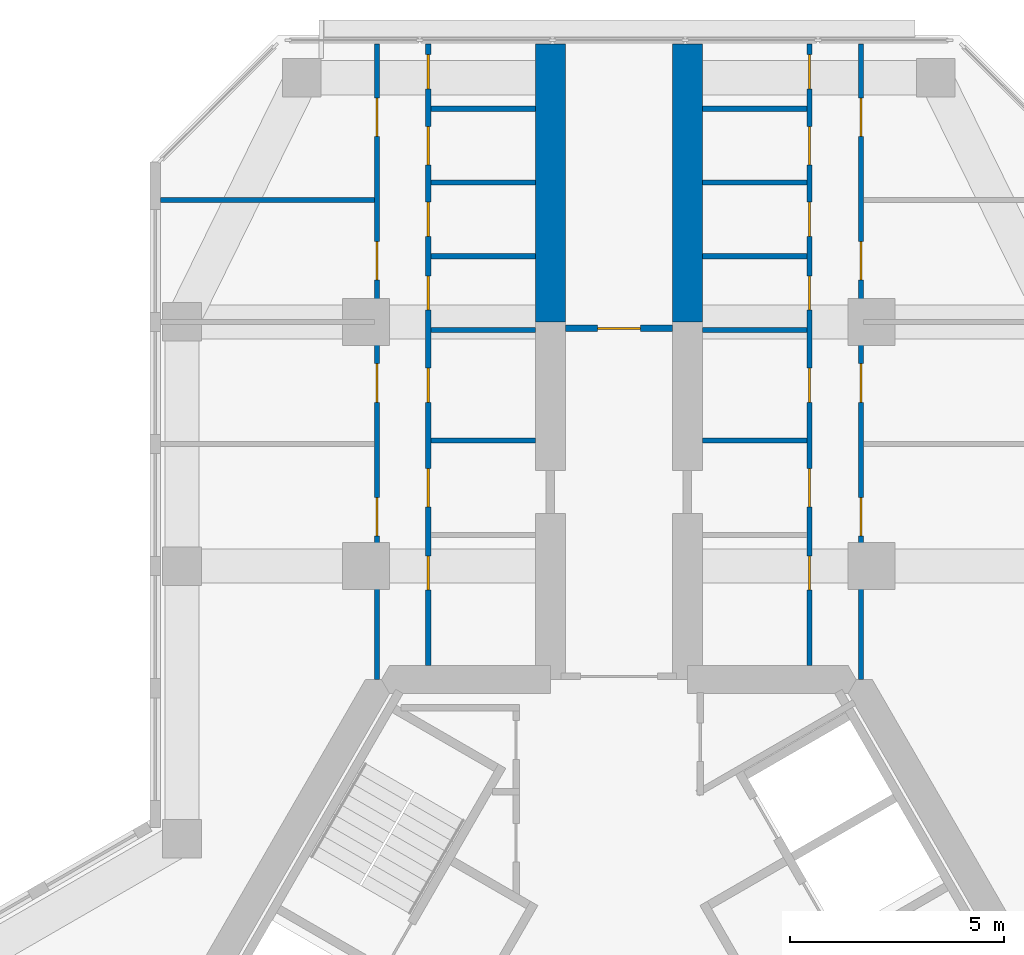
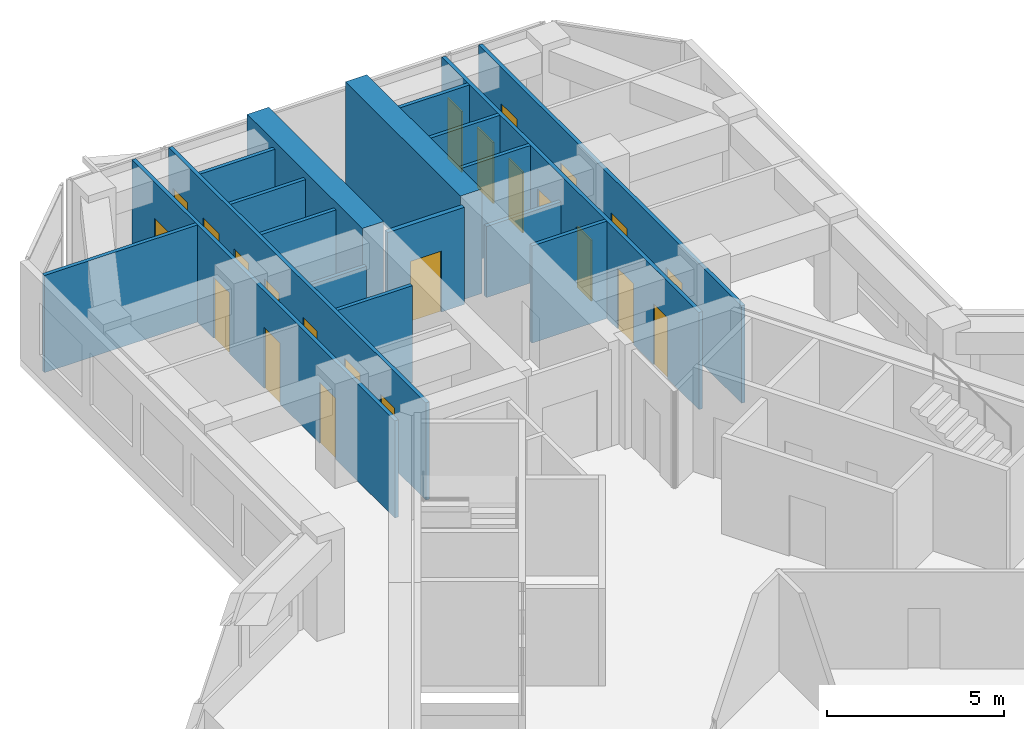
# One storey, part 14 of 16: 23 doors, 18 walls, 23 openings.
"""IFC4 building model written with IfcOpenShell, lengths in metres."""

from ifc_helpers import new_model, si_unit, direction, frame, frame_2d, origin, place, context, subcontext, project, spatial, rectangle, extrude, material, layer, layer_set, type_object, element, fill, save


model = new_model("IFC4")

# Units and contexts
model_context = context("Model", 3, precision=1e-05, world=origin(), true_north=direction((0.0, 1.0)))
body_context = subcontext(model_context, "Body", "Model", "MODEL_VIEW")
ifc_project = project(units=[si_unit("LENGTHUNIT", "METRE"), si_unit("AREAUNIT", "SQUARE_METRE"), si_unit("VOLUMEUNIT", "CUBIC_METRE"), si_unit("PLANEANGLEUNIT", "RADIAN"), si_unit("MASSUNIT", "GRAM", prefix="KILO")], contexts=[model_context])

# Site, building, storey
site_placement = place(None, origin())
site = spatial("IfcSite", under=ifc_project, at=site_placement, CompositionType="ELEMENT")
building_placement = place(site_placement, origin())
building = spatial("IfcBuilding", under=site, at=building_placement, Name="Kosmar Iwan School Tower", CompositionType="ELEMENT")
storey_placement = place(building_placement, frame((0.0, 0.0, 208.199951171875)))
storey = spatial("IfcBuildingStorey", under=building, at=storey_placement, Name="L52", CompositionType="ELEMENT", Elevation=208.199951171875)

# Walls
ifc_material_1 = material(Name="Concrete C50/60", Category="concrete")
ifc_layer_1 = layer(ifc_material_1, 0.699951171875)
ifc_layer_set_1 = layer_set([ifc_layer_1], Name="Corridor buttress wall 700")
wall_type_1 = type_object("IfcWallType", Name="Corridor buttress wall 700", PredefinedType="SHEAR", material=ifc_layer_set_1)
for number, where, z_axis, x_axis, name in (
    (1, (-1.60009765625, 17.949951171875, 0.0), (0.0, 0.0, 1.0), (0.0, 1.0, 0.0), "Corridor wall AL bay 2"),
    (2, (1.60009765625, 17.949951171875, 0.0), (0.0, 0.0, 1.0), (0.0, 1.0, 0.0), "Corridor wall AR bay 2"),
):
    element("IfcWall", number, at=place(storey_placement, frame(where, z_axis=z_axis, x_axis=x_axis)), inside=storey, type_object=wall_type_1, Name=name, PredefinedType="SHEAR", context=body_context, shape_type="SweptSolid", body=[
        extrude(rectangle(XDim=6.4951171875, YDim=0.699951171875, at=frame_2d((3.24755859375, 0.0))), origin(), (0.0, 0.0, 1.0), 3.60009765625),
    ])

# Wall, opening, door
ifc_material_2 = material(Name="Gypsum board on steel studs, fire-rated", Category="steel")
ifc_layer_2 = layer(ifc_material_2, 0.14990234375)
ifc_layer_set_2 = layer_set([ifc_layer_2], Name="Corridor end wall 150")
wall_type_2 = type_object("IfcWallType", Name="Corridor end wall 150", PredefinedType="PARTITIONING", material=ifc_layer_set_2)
wall_1_placement = place(storey_placement, frame((1.25, 17.800048828125, 0.0), z_axis=(0.0, 0.0, 1.0), x_axis=(-1.0, 0.0, 0.0)))
wall_1 = element("IfcWall", 3, at=wall_1_placement, inside=storey, type_object=wall_type_2, Name="Partition L52-A-CE", PredefinedType="PARTITIONING", context=body_context, shape_type="SweptSolid", body=[
    extrude(rectangle(XDim=2.5, YDim=0.14990234375, at=frame_2d((1.25, 0.0))), origin(), (0.0, 0.0, 1.0), 3.35009765625),
])
opening_1_placement = place(wall_1_placement, frame((0.75, 0.0, 0.0)))
opening_1 = element("IfcOpeningElement", 4, at=opening_1_placement, cuts=wall_1, Name="Opening D13", PredefinedType="OPENING", context=body_context, shape_type="SweptSolid", body=[
    extrude(rectangle(XDim=1.0, YDim=2.10009765625, at=frame_2d((0.5, 1.050048828125))), frame((0.0, 0.0869140625, 0.0), z_axis=(0.0, -1.0, 0.0), x_axis=(1.0, 0.0, 0.0)), (0.0, 0.0, 1.0), 0.173828125),
])
ifc_material_3 = material(Name="Timber fire door with vision panel", Category="wood")
door_type_1 = type_object("IfcDoorType", Name="Corridor end door 1000x2100", OperationType="SINGLE_SWING_LEFT", PredefinedType="DOOR", material=ifc_material_3)
door_1_placement = place(opening_1_placement, origin())
door_1 = element("IfcDoor", 5, at=door_1_placement, inside=storey, type_object=door_type_1, Name="Reading room door L52-A", OperationType="SINGLE_SWING_RIGHT", OverallHeight=2.10009765625, OverallWidth=1.0, PredefinedType="DOOR", context=body_context, shape_type="SweptSolid", body=[
    extrude(rectangle(XDim=1.0, YDim=2.10009765625, at=frame_2d((0.5, 1.050048828125))), frame((0.0, 0.02490234375, 0.0), z_axis=(0.0, -1.0, 0.0), x_axis=(1.0, 0.0, 0.0)), (0.0, 0.0, 1.0), 0.050048828125),
])
fill(opening_1, door_1)

# Wall, openings, doors
ifc_material_4 = material(Name="Gypsum board on steel studs", Category="steel")
ifc_layer_3 = layer(ifc_material_4, 0.1201171875)
ifc_layer_set_3 = layer_set([ifc_layer_3], Name="Dwelling partition 120")
wall_type_3 = type_object("IfcWallType", Name="Dwelling partition 120", PredefinedType="PARTITIONING", material=ifc_layer_set_3)
wall_2_placement = place(storey_placement, frame((-4.449951171875, 9.925048828125, 0.0), z_axis=(0.0, 0.0, 1.0), x_axis=(0.0, 1.0, 0.0)))
wall_2 = element("IfcWall", 6, at=wall_2_placement, inside=storey, type_object=wall_type_3, Name="Partition L52-AL1-W1", PredefinedType="PARTITIONING", context=body_context, shape_type="SweptSolid", body=[
    extrude(rectangle(XDim=14.52001953125, YDim=0.1201171875, at=frame_2d((7.260009765625, 0.0))), origin(), (0.0, 0.0, 1.0), 3.35009765625),
])
opening_2_placement = place(wall_2_placement, frame((1.764892578125, 0.0, 0.0)))
opening_2 = element("IfcOpeningElement", 7, at=opening_2_placement, cuts=wall_2, Name="Opening D3", PredefinedType="OPENING", context=body_context, shape_type="SweptSolid", body=[
    extrude(rectangle(XDim=0.800048828125, YDim=2.10009765625, at=frame_2d((0.39990234375, 1.050048828125))), frame((0.0, 0.072021484375, 0.0), z_axis=(0.0, -1.0, 0.0), x_axis=(1.0, 0.0, 0.0)), (0.0, 0.0, 1.0), 0.14404296875),
])
opening_3_placement = place(wall_2_placement, frame((3.705078125, 0.0, 0.0)))
opening_3 = element("IfcOpeningElement", 8, at=opening_3_placement, cuts=wall_2, Name="Opening D2", PredefinedType="OPENING", context=body_context, shape_type="SweptSolid", body=[
    extrude(rectangle(XDim=0.89990234375, YDim=2.10009765625, at=frame_2d((0.449951171875, 1.050048828125))), frame((0.0, 0.072021484375, 0.0), z_axis=(0.0, -1.0, 0.0), x_axis=(1.0, 0.0, 0.0)), (0.0, 0.0, 1.0), 0.14404296875),
])
opening_4_placement = place(wall_2_placement, frame((6.146484375, 0.0, 0.0)))
opening_4 = element("IfcOpeningElement", 9, at=opening_4_placement, cuts=wall_2, Name="Opening D3", PredefinedType="OPENING", context=body_context, shape_type="SweptSolid", body=[
    extrude(rectangle(XDim=0.800048828125, YDim=2.10009765625, at=frame_2d((0.39990234375, 1.050048828125))), frame((0.0, 0.072021484375, 0.0), z_axis=(0.0, -1.0, 0.0), x_axis=(1.0, 0.0, 0.0)), (0.0, 0.0, 1.0), 0.14404296875),
])
opening_5_placement = place(wall_2_placement, frame((8.298583984375, 0.0, 0.0)))
opening_5 = element("IfcOpeningElement", 10, at=opening_5_placement, cuts=wall_2, Name="Opening D3", PredefinedType="OPENING", context=body_context, shape_type="SweptSolid", body=[
    extrude(rectangle(XDim=0.800048828125, YDim=2.10009765625, at=frame_2d((0.39990234375, 1.050048828125))), frame((0.0, 0.072021484375, 0.0), z_axis=(0.0, -1.0, 0.0), x_axis=(1.0, 0.0, 0.0)), (0.0, 0.0, 1.0), 0.14404296875),
])
opening_6_placement = place(wall_2_placement, frame((10.0205078125, 0.0, 0.0)))
opening_6 = element("IfcOpeningElement", 11, at=opening_6_placement, cuts=wall_2, Name="Opening D3", PredefinedType="OPENING", context=body_context, shape_type="SweptSolid", body=[
    extrude(rectangle(XDim=0.800048828125, YDim=2.10009765625, at=frame_2d((0.39990234375, 1.050048828125))), frame((0.0, 0.072021484375, 0.0), z_axis=(0.0, -1.0, 0.0), x_axis=(1.0, 0.0, 0.0)), (0.0, 0.0, 1.0), 0.14404296875),
])
opening_7_placement = place(wall_2_placement, frame((11.6923828125, 0.0, 0.0)))
opening_7 = element("IfcOpeningElement", 12, at=opening_7_placement, cuts=wall_2, Name="Opening D2", PredefinedType="OPENING", context=body_context, shape_type="SweptSolid", body=[
    extrude(rectangle(XDim=0.89990234375, YDim=2.10009765625, at=frame_2d((0.449951171875, 1.050048828125))), frame((0.0, 0.072021484375, 0.0), z_axis=(0.0, -1.0, 0.0), x_axis=(1.0, 0.0, 0.0)), (0.0, 0.0, 1.0), 0.14404296875),
])
opening_8_placement = place(wall_2_placement, frame((13.464111328125, 0.0, 0.0)))
opening_8 = element("IfcOpeningElement", 13, at=opening_8_placement, cuts=wall_2, Name="Opening D3", PredefinedType="OPENING", context=body_context, shape_type="SweptSolid", body=[
    extrude(rectangle(XDim=0.800048828125, YDim=2.10009765625, at=frame_2d((0.39990234375, 1.050048828125))), frame((0.0, 0.072021484375, 0.0), z_axis=(0.0, -1.0, 0.0), x_axis=(1.0, 0.0, 0.0)), (0.0, 0.0, 1.0), 0.14404296875),
])
ifc_material_5 = material(Name="Timber door in timber frame", Category="wood")
door_type_2 = type_object("IfcDoorType", Name="Internal door 900x2100", OperationType="SINGLE_SWING_LEFT", PredefinedType="DOOR", material=ifc_material_5)
door_2_placement = place(opening_3_placement, origin())
door_2 = element("IfcDoor", 14, at=door_2_placement, inside=storey, type_object=door_type_2, Name="Entrance hall door L52-AL1-S2", OperationType="SINGLE_SWING_LEFT", OverallHeight=2.10009765625, OverallWidth=0.89990234375, PredefinedType="DOOR", context=body_context, shape_type="SweptSolid", body=[
    extrude(rectangle(XDim=0.89990234375, YDim=2.10009765625, at=frame_2d((0.449951171875, 1.050048828125))), frame((0.0, 0.02490234375, 0.0), z_axis=(0.0, -1.0, 0.0), x_axis=(1.0, 0.0, 0.0)), (0.0, 0.0, 1.0), 0.050048828125),
])
fill(opening_3, door_2)
door_3_placement = place(opening_7_placement, origin())
door_3 = element("IfcDoor", 15, at=door_3_placement, inside=storey, type_object=door_type_2, Name="Pantry door L52-AL1-S6", OperationType="SINGLE_SWING_RIGHT", OverallHeight=2.10009765625, OverallWidth=0.89990234375, PredefinedType="DOOR", context=body_context, shape_type="SweptSolid", body=[
    extrude(rectangle(XDim=0.89990234375, YDim=2.10009765625, at=frame_2d((0.449951171875, 1.050048828125))), frame((0.0, 0.02490234375, 0.0), z_axis=(0.0, -1.0, 0.0), x_axis=(1.0, 0.0, 0.0)), (0.0, 0.0, 1.0), 0.050048828125),
])
fill(opening_7, door_3)
ifc_material_6 = material(Name="Timber door in timber frame", Category="wood")
door_type_3 = type_object("IfcDoorType", Name="Sanitary room door 800x2100", OperationType="SINGLE_SWING_LEFT", PredefinedType="DOOR", material=ifc_material_6)
door_4_placement = place(opening_2_placement, origin())
door_4 = element("IfcDoor", 16, at=door_4_placement, inside=storey, type_object=door_type_3, Name="WC door L52-AL1-S1", OperationType="SINGLE_SWING_LEFT", OverallHeight=2.10009765625, OverallWidth=0.800048828125, PredefinedType="DOOR", context=body_context, shape_type="SweptSolid", body=[
    extrude(rectangle(XDim=0.800048828125, YDim=2.10009765625, at=frame_2d((0.39990234375, 1.050048828125))), frame((0.0, 0.02490234375, 0.0), z_axis=(0.0, -1.0, 0.0), x_axis=(1.0, 0.0, 0.0)), (0.0, 0.0, 1.0), 0.050048828125),
])
fill(opening_2, door_4)
door_5_placement = place(opening_4_placement, origin())
door_5 = element("IfcDoor", 17, at=door_5_placement, inside=storey, type_object=door_type_3, Name="Bathroom door L52-AL1-S3", OperationType="SINGLE_SWING_LEFT", OverallHeight=2.10009765625, OverallWidth=0.800048828125, PredefinedType="DOOR", context=body_context, shape_type="SweptSolid", body=[
    extrude(rectangle(XDim=0.800048828125, YDim=2.10009765625, at=frame_2d((0.39990234375, 1.050048828125))), frame((0.0, 0.02490234375, 0.0), z_axis=(0.0, -1.0, 0.0), x_axis=(1.0, 0.0, 0.0)), (0.0, 0.0, 1.0), 0.050048828125),
])
fill(opening_4, door_5)
door_6_placement = place(opening_5_placement, origin())
door_6 = element("IfcDoor", 18, at=door_6_placement, inside=storey, type_object=door_type_3, Name="Grandparents' shower room door L52-AL1-S4", OperationType="SINGLE_SWING_RIGHT", OverallHeight=2.10009765625, OverallWidth=0.800048828125, PredefinedType="DOOR", context=body_context, shape_type="SweptSolid", body=[
    extrude(rectangle(XDim=0.800048828125, YDim=2.10009765625, at=frame_2d((0.39990234375, 1.050048828125))), frame((0.0, 0.02490234375, 0.0), z_axis=(0.0, -1.0, 0.0), x_axis=(1.0, 0.0, 0.0)), (0.0, 0.0, 1.0), 0.050048828125),
])
fill(opening_5, door_6)
door_7_placement = place(opening_6_placement, origin())
door_7 = element("IfcDoor", 19, at=door_7_placement, inside=storey, type_object=door_type_3, Name="Shower room door L52-AL1-S5", OperationType="SINGLE_SWING_RIGHT", OverallHeight=2.10009765625, OverallWidth=0.800048828125, PredefinedType="DOOR", context=body_context, shape_type="SweptSolid", body=[
    extrude(rectangle(XDim=0.800048828125, YDim=2.10009765625, at=frame_2d((0.39990234375, 1.050048828125))), frame((0.0, 0.02490234375, 0.0), z_axis=(0.0, -1.0, 0.0), x_axis=(1.0, 0.0, 0.0)), (0.0, 0.0, 1.0), 0.050048828125),
])
fill(opening_6, door_7)
door_8_placement = place(opening_8_placement, origin())
door_8 = element("IfcDoor", 20, at=door_8_placement, inside=storey, type_object=door_type_3, Name="Store door L52-AL1-S7", OperationType="SINGLE_SWING_RIGHT", OverallHeight=2.10009765625, OverallWidth=0.800048828125, PredefinedType="DOOR", context=body_context, shape_type="SweptSolid", body=[
    extrude(rectangle(XDim=0.800048828125, YDim=2.10009765625, at=frame_2d((0.39990234375, 1.050048828125))), frame((0.0, 0.02490234375, 0.0), z_axis=(0.0, -1.0, 0.0), x_axis=(1.0, 0.0, 0.0)), (0.0, 0.0, 1.0), 0.050048828125),
])
fill(opening_8, door_8)

wall_3_placement = place(storey_placement, frame((-5.64990234375, 9.60009765625, 0.0), z_axis=(0.0, 0.0, 1.0), x_axis=(0.0, 1.0, 0.0)))
wall_3 = element("IfcWall", 21, at=wall_3_placement, inside=storey, type_object=wall_type_3, Name="Partition L52-AL1-W2", PredefinedType="PARTITIONING", context=body_context, shape_type="SweptSolid", body=[
    extrude(rectangle(XDim=14.844970703125, YDim=0.1201171875, at=frame_2d((7.42236328125, 0.0))), origin(), (0.0, 0.0, 1.0), 3.35009765625),
])
opening_9_placement = place(wall_3_placement, frame((3.35009765625, 0.0, 0.0)))
opening_9 = element("IfcOpeningElement", 22, at=opening_9_placement, cuts=wall_3, Name="Opening D2", PredefinedType="OPENING", context=body_context, shape_type="SweptSolid", body=[
    extrude(rectangle(XDim=0.89990234375, YDim=2.10009765625, at=frame_2d((0.449951171875, 1.050048828125))), frame((0.0, 0.072021484375, 0.0), z_axis=(0.0, -1.0, 0.0), x_axis=(1.0, 0.0, 0.0)), (0.0, 0.0, 1.0), 0.14404296875),
])
opening_10_placement = place(wall_3_placement, frame((6.47509765625, 0.0, 0.0)))
opening_10 = element("IfcOpeningElement", 23, at=opening_10_placement, cuts=wall_3, Name="Opening D2", PredefinedType="OPENING", context=body_context, shape_type="SweptSolid", body=[
    extrude(rectangle(XDim=0.89990234375, YDim=2.10009765625, at=frame_2d((0.449951171875, 1.050048828125))), frame((0.0, 0.072021484375, 0.0), z_axis=(0.0, -1.0, 0.0), x_axis=(1.0, 0.0, 0.0)), (0.0, 0.0, 1.0), 0.14404296875),
])
opening_11_placement = place(wall_3_placement, frame((9.324951171875, 0.0, 0.0)))
opening_11 = element("IfcOpeningElement", 24, at=opening_11_placement, cuts=wall_3, Name="Opening D2", PredefinedType="OPENING", context=body_context, shape_type="SweptSolid", body=[
    extrude(rectangle(XDim=0.89990234375, YDim=2.10009765625, at=frame_2d((0.449951171875, 1.050048828125))), frame((0.0, 0.072021484375, 0.0), z_axis=(0.0, -1.0, 0.0), x_axis=(1.0, 0.0, 0.0)), (0.0, 0.0, 1.0), 0.14404296875),
])
opening_12_placement = place(wall_3_placement, frame((12.675048828125, 0.0, 0.0)))
opening_12 = element("IfcOpeningElement", 25, at=opening_12_placement, cuts=wall_3, Name="Opening D2", PredefinedType="OPENING", context=body_context, shape_type="SweptSolid", body=[
    extrude(rectangle(XDim=0.89990234375, YDim=2.10009765625, at=frame_2d((0.449951171875, 1.050048828125))), frame((0.0, 0.072021484375, 0.0), z_axis=(0.0, -1.0, 0.0), x_axis=(1.0, 0.0, 0.0)), (0.0, 0.0, 1.0), 0.14404296875),
])
door_9_placement = place(opening_9_placement, origin())
door_9 = element("IfcDoor", 26, at=door_9_placement, inside=storey, type_object=door_type_2, Name="Living room and kitchen door L52-AL1-F1", OperationType="SINGLE_SWING_RIGHT", OverallHeight=2.10009765625, OverallWidth=0.89990234375, PredefinedType="DOOR", context=body_context, shape_type="SweptSolid", body=[
    extrude(rectangle(XDim=0.89990234375, YDim=2.10009765625, at=frame_2d((0.449951171875, 1.050048828125))), frame((0.0, 0.02490234375, 0.0), z_axis=(0.0, -1.0, 0.0), x_axis=(1.0, 0.0, 0.0)), (0.0, 0.0, 1.0), 0.050048828125),
])
fill(opening_9, door_9)
door_10_placement = place(opening_10_placement, origin())
door_10 = element("IfcDoor", 27, at=door_10_placement, inside=storey, type_object=door_type_2, Name="Bedroom 1 door L52-AL1-F2", OperationType="SINGLE_SWING_LEFT", OverallHeight=2.10009765625, OverallWidth=0.89990234375, PredefinedType="DOOR", context=body_context, shape_type="SweptSolid", body=[
    extrude(rectangle(XDim=0.89990234375, YDim=2.10009765625, at=frame_2d((0.449951171875, 1.050048828125))), frame((0.0, 0.02490234375, 0.0), z_axis=(0.0, -1.0, 0.0), x_axis=(1.0, 0.0, 0.0)), (0.0, 0.0, 1.0), 0.050048828125),
])
fill(opening_10, door_10)
door_11_placement = place(opening_11_placement, origin())
door_11 = element("IfcDoor", 28, at=door_11_placement, inside=storey, type_object=door_type_2, Name="Grandparents' suite door L52-AL1-F3", OperationType="SINGLE_SWING_RIGHT", OverallHeight=2.10009765625, OverallWidth=0.89990234375, PredefinedType="DOOR", context=body_context, shape_type="SweptSolid", body=[
    extrude(rectangle(XDim=0.89990234375, YDim=2.10009765625, at=frame_2d((0.449951171875, 1.050048828125))), frame((0.0, 0.02490234375, 0.0), z_axis=(0.0, -1.0, 0.0), x_axis=(1.0, 0.0, 0.0)), (0.0, 0.0, 1.0), 0.050048828125),
])
fill(opening_11, door_11)
door_12_placement = place(opening_12_placement, origin())
door_12 = element("IfcDoor", 29, at=door_12_placement, inside=storey, type_object=door_type_2, Name="Bedroom 2 door L52-AL1-F4", OperationType="SINGLE_SWING_RIGHT", OverallHeight=2.10009765625, OverallWidth=0.89990234375, PredefinedType="DOOR", context=body_context, shape_type="SweptSolid", body=[
    extrude(rectangle(XDim=0.89990234375, YDim=2.10009765625, at=frame_2d((0.449951171875, 1.050048828125))), frame((0.0, 0.02490234375, 0.0), z_axis=(0.0, -1.0, 0.0), x_axis=(1.0, 0.0, 0.0)), (0.0, 0.0, 1.0), 0.050048828125),
])
fill(opening_12, door_12)

# Walls
wall_4_placement = place(storey_placement, frame((-5.7099609375, 20.800048828125, 0.0), z_axis=(0.0, 0.0, 1.0), x_axis=(-1.0, 0.0, 0.0)))
element("IfcWall", 30, at=wall_4_placement, inside=storey, type_object=wall_type_3, Name="Partition L52-AL1-X3", PredefinedType="PARTITIONING", context=body_context, shape_type="SweptSolid", body=[
    extrude(rectangle(XDim=4.989990234375, YDim=0.1201171875, at=frame_2d((2.4951171875, 0.0))), origin(), (0.0, 0.0, 1.0), 3.35009765625),
])
wall_5_placement = place(storey_placement, frame((-1.949951171875, 15.179931640625, 0.0), z_axis=(0.0, 0.0, 1.0), x_axis=(-1.0, 0.0, 0.0)))
element("IfcWall", 31, at=wall_5_placement, inside=storey, type_object=wall_type_3, Name="Partition L52-AL1-Y2", PredefinedType="PARTITIONING", context=body_context, shape_type="SweptSolid", body=[
    extrude(rectangle(XDim=2.43994140625, YDim=0.1201171875, at=frame_2d((1.219970703125, 0.0))), origin(), (0.0, 0.0, 1.0), 3.35009765625),
])
wall_6_placement = place(storey_placement, frame((-1.949951171875, 17.7626953125, 0.0), z_axis=(0.0, 0.0, 1.0), x_axis=(-1.0, 0.0, 0.0)))
element("IfcWall", 32, at=wall_6_placement, inside=storey, type_object=wall_type_3, Name="Partition L52-AL1-Y3", PredefinedType="PARTITIONING", context=body_context, shape_type="SweptSolid", body=[
    extrude(rectangle(XDim=2.43994140625, YDim=0.1201171875, at=frame_2d((1.219970703125, 0.0))), origin(), (0.0, 0.0, 1.0), 2.449951171875),
])
for number, where, z_axis, x_axis, name in (
    (33, (-1.949951171875, 19.484619140625, 0.0), (0.0, 0.0, 1.0), (-1.0, 0.0, 0.0), "Partition L52-AL1-Y4"),
    (34, (-1.949951171875, 21.206298828125, 0.0), (0.0, 0.0, 1.0), (-1.0, 0.0, 0.0), "Partition L52-AL1-Y5"),
    (35, (-1.949951171875, 22.92822265625, 0.0), (0.0, 0.0, 1.0), (-1.0, 0.0, 0.0), "Partition L52-AL1-Y6"),
):
    element("IfcWall", number, at=place(storey_placement, frame(where, z_axis=z_axis, x_axis=x_axis)), inside=storey, type_object=wall_type_3, Name=name, PredefinedType="PARTITIONING", context=body_context, shape_type="SweptSolid", body=[
        extrude(rectangle(XDim=2.43994140625, YDim=0.1201171875, at=frame_2d((1.219970703125, 0.0))), origin(), (0.0, 0.0, 1.0), 3.35009765625),
    ])

# Wall, openings, doors
wall_7_placement = place(storey_placement, frame((4.449951171875, 9.925048828125, 0.0), z_axis=(0.0, 0.0, 1.0), x_axis=(0.0, 1.0, 0.0)))
wall_7 = element("IfcWall", 36, at=wall_7_placement, inside=storey, type_object=wall_type_3, Name="Partition L52-AR1-W1", PredefinedType="PARTITIONING", context=body_context, shape_type="SweptSolid", body=[
    extrude(rectangle(XDim=14.52001953125, YDim=0.1201171875, at=frame_2d((7.260009765625, 0.0))), origin(), (0.0, 0.0, 1.0), 3.35009765625),
])
opening_13_placement = place(wall_7_placement, frame((1.764892578125, 0.0, 0.0)))
opening_13 = element("IfcOpeningElement", 37, at=opening_13_placement, cuts=wall_7, Name="Opening D3", PredefinedType="OPENING", context=body_context, shape_type="SweptSolid", body=[
    extrude(rectangle(XDim=0.800048828125, YDim=2.10009765625, at=frame_2d((0.39990234375, 1.050048828125))), frame((0.0, 0.072021484375, 0.0), z_axis=(0.0, -1.0, 0.0), x_axis=(1.0, 0.0, 0.0)), (0.0, 0.0, 1.0), 0.14404296875),
])
opening_14_placement = place(wall_7_placement, frame((3.705078125, 0.0, 0.0)))
opening_14 = element("IfcOpeningElement", 38, at=opening_14_placement, cuts=wall_7, Name="Opening D2", PredefinedType="OPENING", context=body_context, shape_type="SweptSolid", body=[
    extrude(rectangle(XDim=0.89990234375, YDim=2.10009765625, at=frame_2d((0.449951171875, 1.050048828125))), frame((0.0, 0.072021484375, 0.0), z_axis=(0.0, -1.0, 0.0), x_axis=(1.0, 0.0, 0.0)), (0.0, 0.0, 1.0), 0.14404296875),
])
opening_15_placement = place(wall_7_placement, frame((6.146484375, 0.0, 0.0)))
opening_15 = element("IfcOpeningElement", 39, at=opening_15_placement, cuts=wall_7, Name="Opening D3", PredefinedType="OPENING", context=body_context, shape_type="SweptSolid", body=[
    extrude(rectangle(XDim=0.800048828125, YDim=2.10009765625, at=frame_2d((0.39990234375, 1.050048828125))), frame((0.0, 0.072021484375, 0.0), z_axis=(0.0, -1.0, 0.0), x_axis=(1.0, 0.0, 0.0)), (0.0, 0.0, 1.0), 0.14404296875),
])
opening_16_placement = place(wall_7_placement, frame((8.298583984375, 0.0, 0.0)))
opening_16 = element("IfcOpeningElement", 40, at=opening_16_placement, cuts=wall_7, Name="Opening D3", PredefinedType="OPENING", context=body_context, shape_type="SweptSolid", body=[
    extrude(rectangle(XDim=0.800048828125, YDim=2.10009765625, at=frame_2d((0.39990234375, 1.050048828125))), frame((0.0, 0.072021484375, 0.0), z_axis=(0.0, -1.0, 0.0), x_axis=(1.0, 0.0, 0.0)), (0.0, 0.0, 1.0), 0.14404296875),
])
opening_17_placement = place(wall_7_placement, frame((10.0205078125, 0.0, 0.0)))
opening_17 = element("IfcOpeningElement", 41, at=opening_17_placement, cuts=wall_7, Name="Opening D3", PredefinedType="OPENING", context=body_context, shape_type="SweptSolid", body=[
    extrude(rectangle(XDim=0.800048828125, YDim=2.10009765625, at=frame_2d((0.39990234375, 1.050048828125))), frame((0.0, 0.072021484375, 0.0), z_axis=(0.0, -1.0, 0.0), x_axis=(1.0, 0.0, 0.0)), (0.0, 0.0, 1.0), 0.14404296875),
])
opening_18_placement = place(wall_7_placement, frame((11.6923828125, 0.0, 0.0)))
opening_18 = element("IfcOpeningElement", 42, at=opening_18_placement, cuts=wall_7, Name="Opening D2", PredefinedType="OPENING", context=body_context, shape_type="SweptSolid", body=[
    extrude(rectangle(XDim=0.89990234375, YDim=2.10009765625, at=frame_2d((0.449951171875, 1.050048828125))), frame((0.0, 0.072021484375, 0.0), z_axis=(0.0, -1.0, 0.0), x_axis=(1.0, 0.0, 0.0)), (0.0, 0.0, 1.0), 0.14404296875),
])
opening_19_placement = place(wall_7_placement, frame((13.464111328125, 0.0, 0.0)))
opening_19 = element("IfcOpeningElement", 43, at=opening_19_placement, cuts=wall_7, Name="Opening D3", PredefinedType="OPENING", context=body_context, shape_type="SweptSolid", body=[
    extrude(rectangle(XDim=0.800048828125, YDim=2.10009765625, at=frame_2d((0.39990234375, 1.050048828125))), frame((0.0, 0.072021484375, 0.0), z_axis=(0.0, -1.0, 0.0), x_axis=(1.0, 0.0, 0.0)), (0.0, 0.0, 1.0), 0.14404296875),
])
door_13_placement = place(opening_14_placement, origin())
door_13 = element("IfcDoor", 44, at=door_13_placement, inside=storey, type_object=door_type_2, Name="Entrance hall door L52-AR1-S2", OperationType="SINGLE_SWING_LEFT", OverallHeight=2.10009765625, OverallWidth=0.89990234375, PredefinedType="DOOR", context=body_context, shape_type="SweptSolid", body=[
    extrude(rectangle(XDim=0.89990234375, YDim=2.10009765625, at=frame_2d((0.449951171875, 1.050048828125))), frame((0.0, 0.02490234375, 0.0), z_axis=(0.0, -1.0, 0.0), x_axis=(1.0, 0.0, 0.0)), (0.0, 0.0, 1.0), 0.050048828125),
])
fill(opening_14, door_13)
door_14_placement = place(opening_18_placement, origin())
door_14 = element("IfcDoor", 45, at=door_14_placement, inside=storey, type_object=door_type_2, Name="Pantry door L52-AR1-S6", OperationType="SINGLE_SWING_LEFT", OverallHeight=2.10009765625, OverallWidth=0.89990234375, PredefinedType="DOOR", context=body_context, shape_type="SweptSolid", body=[
    extrude(rectangle(XDim=0.89990234375, YDim=2.10009765625, at=frame_2d((0.449951171875, 1.050048828125))), frame((0.0, 0.02490234375, 0.0), z_axis=(0.0, -1.0, 0.0), x_axis=(1.0, 0.0, 0.0)), (0.0, 0.0, 1.0), 0.050048828125),
])
fill(opening_18, door_14)
door_15_placement = place(opening_13_placement, origin())
door_15 = element("IfcDoor", 46, at=door_15_placement, inside=storey, type_object=door_type_3, Name="WC door L52-AR1-S1", OperationType="SINGLE_SWING_RIGHT", OverallHeight=2.10009765625, OverallWidth=0.800048828125, PredefinedType="DOOR", context=body_context, shape_type="SweptSolid", body=[
    extrude(rectangle(XDim=0.800048828125, YDim=2.10009765625, at=frame_2d((0.39990234375, 1.050048828125))), frame((0.0, 0.02490234375, 0.0), z_axis=(0.0, -1.0, 0.0), x_axis=(1.0, 0.0, 0.0)), (0.0, 0.0, 1.0), 0.050048828125),
])
fill(opening_13, door_15)
door_16_placement = place(opening_15_placement, origin())
door_16 = element("IfcDoor", 47, at=door_16_placement, inside=storey, type_object=door_type_3, Name="Bathroom door L52-AR1-S3", OperationType="SINGLE_SWING_RIGHT", OverallHeight=2.10009765625, OverallWidth=0.800048828125, PredefinedType="DOOR", context=body_context, shape_type="SweptSolid", body=[
    extrude(rectangle(XDim=0.800048828125, YDim=2.10009765625, at=frame_2d((0.39990234375, 1.050048828125))), frame((0.0, 0.02490234375, 0.0), z_axis=(0.0, -1.0, 0.0), x_axis=(1.0, 0.0, 0.0)), (0.0, 0.0, 1.0), 0.050048828125),
])
fill(opening_15, door_16)
door_17_placement = place(opening_16_placement, origin())
door_17 = element("IfcDoor", 48, at=door_17_placement, inside=storey, type_object=door_type_3, Name="Grandparents' shower room door L52-AR1-S4", OperationType="SINGLE_SWING_LEFT", OverallHeight=2.10009765625, OverallWidth=0.800048828125, PredefinedType="DOOR", context=body_context, shape_type="SweptSolid", body=[
    extrude(rectangle(XDim=0.800048828125, YDim=2.10009765625, at=frame_2d((0.39990234375, 1.050048828125))), frame((0.0, 0.02490234375, 0.0), z_axis=(0.0, -1.0, 0.0), x_axis=(1.0, 0.0, 0.0)), (0.0, 0.0, 1.0), 0.050048828125),
])
fill(opening_16, door_17)
door_18_placement = place(opening_17_placement, origin())
door_18 = element("IfcDoor", 49, at=door_18_placement, inside=storey, type_object=door_type_3, Name="Shower room door L52-AR1-S5", OperationType="SINGLE_SWING_RIGHT", OverallHeight=2.10009765625, OverallWidth=0.800048828125, PredefinedType="DOOR", context=body_context, shape_type="SweptSolid", body=[
    extrude(rectangle(XDim=0.800048828125, YDim=2.10009765625, at=frame_2d((0.39990234375, 1.050048828125))), frame((0.0, 0.02490234375, 0.0), z_axis=(0.0, -1.0, 0.0), x_axis=(1.0, 0.0, 0.0)), (0.0, 0.0, 1.0), 0.050048828125),
])
fill(opening_17, door_18)
door_19_placement = place(opening_19_placement, origin())
door_19 = element("IfcDoor", 50, at=door_19_placement, inside=storey, type_object=door_type_3, Name="Store door L52-AR1-S7", OperationType="SINGLE_SWING_RIGHT", OverallHeight=2.10009765625, OverallWidth=0.800048828125, PredefinedType="DOOR", context=body_context, shape_type="SweptSolid", body=[
    extrude(rectangle(XDim=0.800048828125, YDim=2.10009765625, at=frame_2d((0.39990234375, 1.050048828125))), frame((0.0, 0.02490234375, 0.0), z_axis=(0.0, -1.0, 0.0), x_axis=(1.0, 0.0, 0.0)), (0.0, 0.0, 1.0), 0.050048828125),
])
fill(opening_19, door_19)

wall_8_placement = place(storey_placement, frame((5.64990234375, 9.60009765625, 0.0), z_axis=(0.0, 0.0, 1.0), x_axis=(0.0, 1.0, 0.0)))
wall_8 = element("IfcWall", 51, at=wall_8_placement, inside=storey, type_object=wall_type_3, Name="Partition L52-AR1-W2", PredefinedType="PARTITIONING", context=body_context, shape_type="SweptSolid", body=[
    extrude(rectangle(XDim=14.844970703125, YDim=0.1201171875, at=frame_2d((7.42236328125, 0.0))), origin(), (0.0, 0.0, 1.0), 3.35009765625),
])
opening_20_placement = place(wall_8_placement, frame((3.35009765625, 0.0, 0.0)))
opening_20 = element("IfcOpeningElement", 52, at=opening_20_placement, cuts=wall_8, Name="Opening D2", PredefinedType="OPENING", context=body_context, shape_type="SweptSolid", body=[
    extrude(rectangle(XDim=0.89990234375, YDim=2.10009765625, at=frame_2d((0.449951171875, 1.050048828125))), frame((0.0, 0.072021484375, 0.0), z_axis=(0.0, -1.0, 0.0), x_axis=(1.0, 0.0, 0.0)), (0.0, 0.0, 1.0), 0.14404296875),
])
opening_21_placement = place(wall_8_placement, frame((6.47509765625, 0.0, 0.0)))
opening_21 = element("IfcOpeningElement", 53, at=opening_21_placement, cuts=wall_8, Name="Opening D2", PredefinedType="OPENING", context=body_context, shape_type="SweptSolid", body=[
    extrude(rectangle(XDim=0.89990234375, YDim=2.10009765625, at=frame_2d((0.449951171875, 1.050048828125))), frame((0.0, 0.072021484375, 0.0), z_axis=(0.0, -1.0, 0.0), x_axis=(1.0, 0.0, 0.0)), (0.0, 0.0, 1.0), 0.14404296875),
])
opening_22_placement = place(wall_8_placement, frame((9.324951171875, 0.0, 0.0)))
opening_22 = element("IfcOpeningElement", 54, at=opening_22_placement, cuts=wall_8, Name="Opening D2", PredefinedType="OPENING", context=body_context, shape_type="SweptSolid", body=[
    extrude(rectangle(XDim=0.89990234375, YDim=2.10009765625, at=frame_2d((0.449951171875, 1.050048828125))), frame((0.0, 0.072021484375, 0.0), z_axis=(0.0, -1.0, 0.0), x_axis=(1.0, 0.0, 0.0)), (0.0, 0.0, 1.0), 0.14404296875),
])
opening_23_placement = place(wall_8_placement, frame((12.675048828125, 0.0, 0.0)))
opening_23 = element("IfcOpeningElement", 55, at=opening_23_placement, cuts=wall_8, Name="Opening D2", PredefinedType="OPENING", context=body_context, shape_type="SweptSolid", body=[
    extrude(rectangle(XDim=0.89990234375, YDim=2.10009765625, at=frame_2d((0.449951171875, 1.050048828125))), frame((0.0, 0.072021484375, 0.0), z_axis=(0.0, -1.0, 0.0), x_axis=(1.0, 0.0, 0.0)), (0.0, 0.0, 1.0), 0.14404296875),
])
door_20_placement = place(opening_20_placement, origin())
door_20 = element("IfcDoor", 56, at=door_20_placement, inside=storey, type_object=door_type_2, Name="Living room and kitchen door L52-AR1-F1", OperationType="SINGLE_SWING_LEFT", OverallHeight=2.10009765625, OverallWidth=0.89990234375, PredefinedType="DOOR", context=body_context, shape_type="SweptSolid", body=[
    extrude(rectangle(XDim=0.89990234375, YDim=2.10009765625, at=frame_2d((0.449951171875, 1.050048828125))), frame((0.0, 0.02490234375, 0.0), z_axis=(0.0, -1.0, 0.0), x_axis=(1.0, 0.0, 0.0)), (0.0, 0.0, 1.0), 0.050048828125),
])
fill(opening_20, door_20)
door_21_placement = place(opening_21_placement, origin())
door_21 = element("IfcDoor", 57, at=door_21_placement, inside=storey, type_object=door_type_2, Name="Bedroom 1 door L52-AR1-F2", OperationType="SINGLE_SWING_LEFT", OverallHeight=2.10009765625, OverallWidth=0.89990234375, PredefinedType="DOOR", context=body_context, shape_type="SweptSolid", body=[
    extrude(rectangle(XDim=0.89990234375, YDim=2.10009765625, at=frame_2d((0.449951171875, 1.050048828125))), frame((0.0, 0.02490234375, 0.0), z_axis=(0.0, -1.0, 0.0), x_axis=(1.0, 0.0, 0.0)), (0.0, 0.0, 1.0), 0.050048828125),
])
fill(opening_21, door_21)
door_22_placement = place(opening_22_placement, origin())
door_22 = element("IfcDoor", 58, at=door_22_placement, inside=storey, type_object=door_type_2, Name="Grandparents' suite door L52-AR1-F3", OperationType="SINGLE_SWING_RIGHT", OverallHeight=2.10009765625, OverallWidth=0.89990234375, PredefinedType="DOOR", context=body_context, shape_type="SweptSolid", body=[
    extrude(rectangle(XDim=0.89990234375, YDim=2.10009765625, at=frame_2d((0.449951171875, 1.050048828125))), frame((0.0, 0.02490234375, 0.0), z_axis=(0.0, -1.0, 0.0), x_axis=(1.0, 0.0, 0.0)), (0.0, 0.0, 1.0), 0.050048828125),
])
fill(opening_22, door_22)
door_23_placement = place(opening_23_placement, origin())
door_23 = element("IfcDoor", 59, at=door_23_placement, inside=storey, type_object=door_type_2, Name="Bedroom 2 door L52-AR1-F4", OperationType="SINGLE_SWING_RIGHT", OverallHeight=2.10009765625, OverallWidth=0.89990234375, PredefinedType="DOOR", context=body_context, shape_type="SweptSolid", body=[
    extrude(rectangle(XDim=0.89990234375, YDim=2.10009765625, at=frame_2d((0.449951171875, 1.050048828125))), frame((0.0, 0.02490234375, 0.0), z_axis=(0.0, -1.0, 0.0), x_axis=(1.0, 0.0, 0.0)), (0.0, 0.0, 1.0), 0.050048828125),
])
fill(opening_23, door_23)

# Walls
wall_9_placement = place(storey_placement, frame((1.949951171875, 15.179931640625, 0.0), z_axis=(0.0, 0.0, 1.0), x_axis=(1.0, 0.0, 0.0)))
element("IfcWall", 60, at=wall_9_placement, inside=storey, type_object=wall_type_3, Name="Partition L52-AR1-Y2", PredefinedType="PARTITIONING", context=body_context, shape_type="SweptSolid", body=[
    extrude(rectangle(XDim=2.43994140625, YDim=0.1201171875, at=frame_2d((1.219970703125, 0.0))), origin(), (0.0, 0.0, 1.0), 3.35009765625),
])
wall_10_placement = place(storey_placement, frame((1.949951171875, 17.7626953125, 0.0), z_axis=(0.0, 0.0, 1.0), x_axis=(1.0, 0.0, 0.0)))
element("IfcWall", 61, at=wall_10_placement, inside=storey, type_object=wall_type_3, Name="Partition L52-AR1-Y3", PredefinedType="PARTITIONING", context=body_context, shape_type="SweptSolid", body=[
    extrude(rectangle(XDim=2.43994140625, YDim=0.1201171875, at=frame_2d((1.219970703125, 0.0))), origin(), (0.0, 0.0, 1.0), 2.449951171875),
])
for number, where, z_axis, x_axis, name in (
    (62, (1.949951171875, 19.484619140625, 0.0), (0.0, 0.0, 1.0), (1.0, 0.0, 0.0), "Partition L52-AR1-Y4"),
    (63, (1.949951171875, 21.206298828125, 0.0), (0.0, 0.0, 1.0), (1.0, 0.0, 0.0), "Partition L52-AR1-Y5"),
    (64, (1.949951171875, 22.92822265625, 0.0), (0.0, 0.0, 1.0), (1.0, 0.0, 0.0), "Partition L52-AR1-Y6"),
):
    element("IfcWall", number, at=place(storey_placement, frame(where, z_axis=z_axis, x_axis=x_axis)), inside=storey, type_object=wall_type_3, Name=name, PredefinedType="PARTITIONING", context=body_context, shape_type="SweptSolid", body=[
        extrude(rectangle(XDim=2.43994140625, YDim=0.1201171875, at=frame_2d((1.219970703125, 0.0))), origin(), (0.0, 0.0, 1.0), 3.35009765625),
    ])

save(model, "model.ifc")
